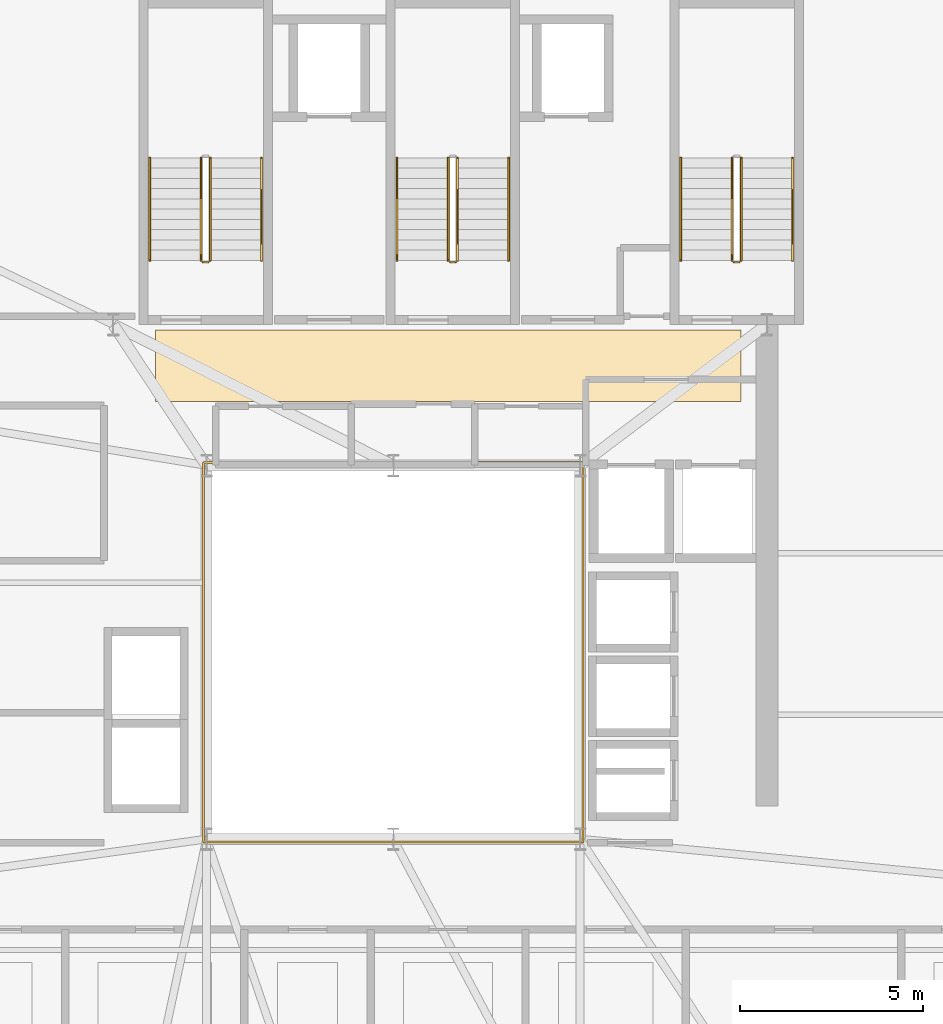
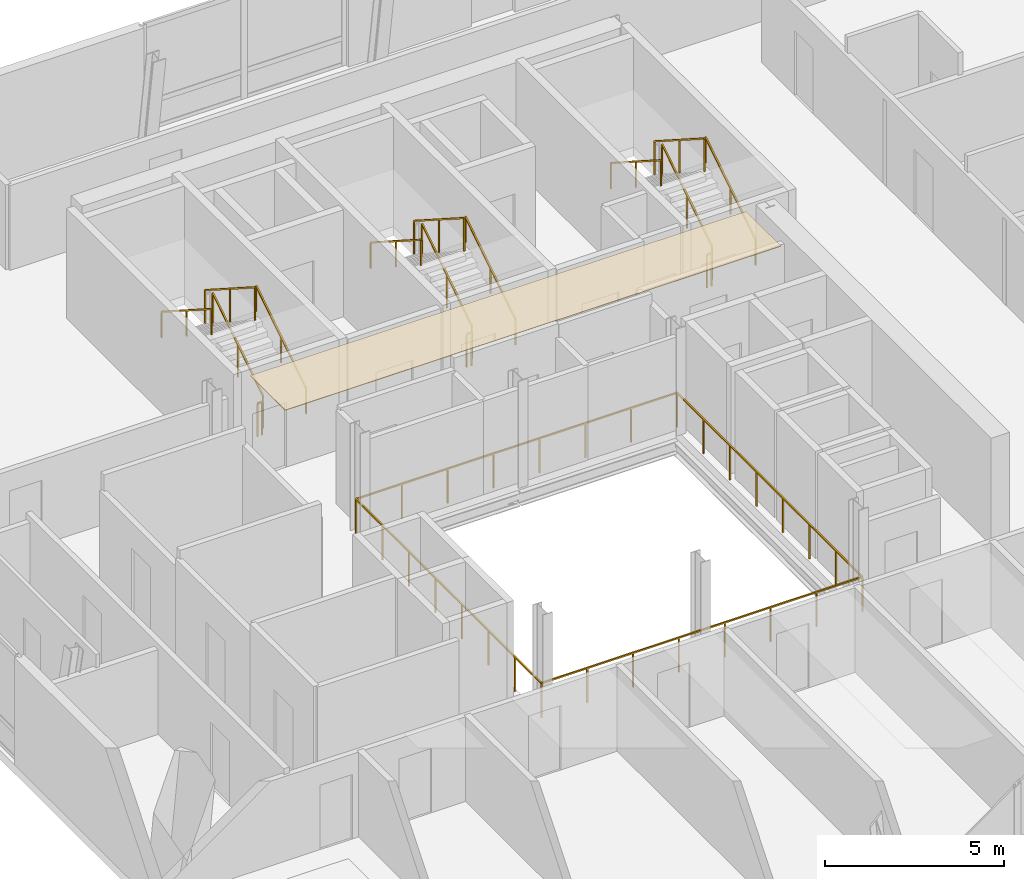
# One storey, part 12 of 14: 16 railings, 1 covering.
"""IFC4 building model written with IfcOpenShell, lengths in metres."""

from ifc_helpers import new_model, si_unit, direction, frame, origin, origin_2d, place, context, subcontext, project, spatial, polyline, rectangle, outline, extrude, source, transform, mapped, material, layer, layer_set, type_object, element, save


model = new_model("IFC4")

# Units and contexts
model_context = context("Model", 3, precision=1e-05, world=origin(), true_north=direction((0.0, 1.0)))
body_context = subcontext(model_context, "Body", "Model", "MODEL_VIEW")
ifc_project = project(units=[si_unit("LENGTHUNIT", "METRE"), si_unit("AREAUNIT", "SQUARE_METRE"), si_unit("VOLUMEUNIT", "CUBIC_METRE"), si_unit("PLANEANGLEUNIT", "RADIAN"), si_unit("MASSUNIT", "GRAM", prefix="KILO")], contexts=[model_context])

# Site, building, storey
site_placement = place(None, origin())
site = spatial("IfcSite", under=ifc_project, at=site_placement, CompositionType="ELEMENT")
building_placement = place(site_placement, origin())
building = spatial("IfcBuilding", under=site, at=building_placement, Name="Vardaveli Station Tower", CompositionType="ELEMENT")
storey_placement = place(building_placement, frame((0.0, 0.0, 266.39990234375)))
storey = spatial("IfcBuildingStorey", under=building, at=storey_placement, Name="L68", CompositionType="ELEMENT", Elevation=266.39990234375)

# Covering
ifc_material_1 = material(Name="Perforated acoustic mineral ceiling")
ifc_layer = layer(ifc_material_1, 0.02001953125, Name="Perforated acoustic mineral ceiling")
ifc_layer_set = layer_set([ifc_layer], Name="Perforated acoustic mineral ceiling")
covering_type = type_object("IfcCoveringType", Name="COV-CEIL-AC20", PredefinedType="CEILING", material=ifc_layer_set)
covering_placement = place(storey_placement, frame((0.0, 0.0, 3.635009765625)))
element("IfcCovering", 1, at=covering_placement, inside=storey, type_object=covering_type, Name="CEIL-L68-8", PredefinedType="CEILING", context=body_context, shape_type="SweptSolid", body=[
    extrude(outline(polyline([(29.800048828125, 28.550048828125), (45.800048828125, 28.550048828125), (45.800048828125, 30.5), (29.800048828125, 30.5), (29.800048828125, 28.550048828125)])), origin(), (0.0, 0.0, 1.0), 0.02001953125),
])

# Railings
ifc_material_2 = material(Name="Brushed AISI 316 stainless steel", Category="steel")
railing_type_1 = type_object("IfcRailingType", Name="RL-GUARD-1150", PredefinedType="GUARDRAIL", material=ifc_material_2)
shared_shape_1 = source(origin(), body_context, "Body", "SweptSolid", [
    extrude(rectangle(XDim=0.048095703125, YDim=0.048095703125, at=origin_2d()), frame((0.0, 0.0, 1.1259765625), z_axis=(-1.0, 0.0, 0.0), x_axis=(0.0, -1.0, 0.0)), (0.0, 0.0, 1.0), 0.14990234375),
    extrude(rectangle(XDim=0.0419921875, YDim=0.0419921875, at=origin_2d()), origin(), (0.0, 0.0, 1.0), 1.101806640625),
    extrude(rectangle(XDim=0.0419921875, YDim=0.0419921875, at=origin_2d()), frame((-0.14990234375, 0.0, 0.0)), (0.0, 0.0, 1.0), 1.101806640625),
])
for number, where, name in (
    (2, (31.25, 32.35009765625, 0.0), "L68 ST-1 stair guard 4"),
    (3, (38.0, 32.35009765625, 0.0), "L68 ST-2 stair guard 4"),
    (4, (45.75, 32.35009765625, 0.0), "L68 ST-3 stair guard 4"),
):
    element("IfcRailing", number, at=place(storey_placement, frame(where)), inside=storey, type_object=railing_type_1, Name=name, PredefinedType="GUARDRAIL", context=body_context, shape_type="MappedRepresentation", body=[
        mapped(shared_shape_1, transform((0.0, 0.0, 0.0), scale=1.0)),
    ])
shared_shape_2 = source(origin(), body_context, "Body", "SweptSolid", [
    extrude(rectangle(XDim=0.048095703125, YDim=0.048095703125, at=origin_2d()), frame((0.0, 0.0, 1.1259765625), z_axis=(0.0, 0.841809871826, 0.539774156196), x_axis=(-1.0, 0.0, 0.0)), (0.0, 0.0, 1.0), 3.326171875),
    extrude(rectangle(XDim=0.0419921875, YDim=0.0419921875, at=origin_2d()), origin(), (0.0, 0.0, 1.0), 1.101806640625),
    extrude(rectangle(XDim=0.0419921875, YDim=0.0419921875, at=origin_2d()), frame((0.0, 1.39990234375, 0.897705078125)), (0.0, 0.0, 1.0), 1.101806640625),
    extrude(rectangle(XDim=0.0419921875, YDim=0.0419921875, at=origin_2d()), frame((0.0, 2.800048828125, 1.79541015625)), (0.0, 0.0, 1.0), 1.101806640625),
])
for number, where, name in (
    (5, (31.300048828125, 32.39990234375, 0.1796875), "L68 ST-1 stair guard 1"),
    (6, (38.050048828125, 32.39990234375, 0.1796875), "L68 ST-2 stair guard 1"),
    (7, (45.800048828125, 32.39990234375, 0.1796875), "L68 ST-3 stair guard 1"),
):
    element("IfcRailing", number, at=place(storey_placement, frame(where)), inside=storey, type_object=railing_type_1, Name=name, PredefinedType="GUARDRAIL", context=body_context, shape_type="MappedRepresentation", body=[
        mapped(shared_shape_2, transform((0.0, 0.0, 0.0), scale=1.0)),
    ])
railing_type_2 = type_object("IfcRailingType", Name="RL-HAND-900", PredefinedType="HANDRAIL", material=ifc_material_2)
shared_shape_3 = source(origin(), body_context, "Body", "SweptSolid", [
    extrude(rectangle(XDim=0.048095703125, YDim=0.048095703125, at=origin_2d()), frame((0.0, 0.0, 0.8759765625), z_axis=(0.0, 0.841809871826, 0.539774156196), x_axis=(-1.0, 0.0, 0.0)), (0.0, 0.0, 1.0), 3.326171875),
    extrude(rectangle(XDim=0.0419921875, YDim=0.0419921875, at=origin_2d()), origin(), (0.0, 0.0, 1.0), 0.851806640625),
    extrude(rectangle(XDim=0.0419921875, YDim=0.0419921875, at=origin_2d()), frame((0.0, 1.39990234375, 0.897705078125)), (0.0, 0.0, 1.0), 0.851806640625),
    extrude(rectangle(XDim=0.0419921875, YDim=0.0419921875, at=origin_2d()), frame((0.0, 2.800048828125, 1.79541015625)), (0.0, 0.0, 1.0), 0.851806640625),
])
for number, where, name in (
    (8, (32.699951171875, 32.39990234375, 0.1796875), "L68 ST-1 stair handrail 1"),
    (9, (39.449951171875, 32.39990234375, 0.1796875), "L68 ST-2 stair handrail 1"),
    (10, (47.199951171875, 32.39990234375, 0.1796875), "L68 ST-3 stair handrail 1"),
):
    element("IfcRailing", number, at=place(storey_placement, frame(where)), inside=storey, type_object=railing_type_2, Name=name, PredefinedType="HANDRAIL", context=body_context, shape_type="MappedRepresentation", body=[
        mapped(shared_shape_3, transform((0.0, 0.0, 0.0), scale=1.0)),
    ])
shared_shape_4 = source(origin(), body_context, "Body", "SweptSolid", [
    extrude(rectangle(XDim=0.048095703125, YDim=0.048095703125, at=origin_2d()), frame((0.0, 0.0, 1.1259765625), z_axis=(0.0, -0.841776520102, 0.539826166654), x_axis=(1.0, 0.0, 0.0)), (0.0, 0.0, 1.0), 3.326416015625),
    extrude(rectangle(XDim=0.0419921875, YDim=0.0419921875, at=origin_2d()), origin(), (0.0, 0.0, 1.0), 1.101806640625),
    extrude(rectangle(XDim=0.0419921875, YDim=0.0419921875, at=origin_2d()), frame((0.0, -1.39990234375, 0.89794921875)), (0.0, 0.0, 1.0), 1.101806640625),
    extrude(rectangle(XDim=0.0419921875, YDim=0.0419921875, at=origin_2d()), frame((0.0, -2.800048828125, 1.795654296875)), (0.0, 0.0, 1.0), 1.101806640625),
])
for number, where, name in (
    (11, (31.050048828125, 35.199951171875, 2.154541015625), "L68 ST-1 stair guard 3"),
    (12, (37.800048828125, 35.199951171875, 2.154541015625), "L68 ST-2 stair guard 3"),
    (13, (45.550048828125, 35.199951171875, 2.154541015625), "L68 ST-3 stair guard 3"),
):
    element("IfcRailing", number, at=place(storey_placement, frame(where)), inside=storey, type_object=railing_type_1, Name=name, PredefinedType="GUARDRAIL", context=body_context, shape_type="MappedRepresentation", body=[
        mapped(shared_shape_4, transform((0.0, 0.0, 0.0), scale=1.0)),
    ])
shared_shape_5 = source(origin(), body_context, "Body", "SweptSolid", [
    extrude(rectangle(XDim=0.048095703125, YDim=0.048095703125, at=origin_2d()), frame((0.0, 0.0, 0.8759765625), z_axis=(0.0, -0.841776520102, 0.539826166654), x_axis=(1.0, 0.0, 0.0)), (0.0, 0.0, 1.0), 3.326416015625),
    extrude(rectangle(XDim=0.0419921875, YDim=0.0419921875, at=origin_2d()), origin(), (0.0, 0.0, 1.0), 0.851806640625),
    extrude(rectangle(XDim=0.0419921875, YDim=0.0419921875, at=origin_2d()), frame((0.0, -1.39990234375, 0.89794921875)), (0.0, 0.0, 1.0), 0.851806640625),
    extrude(rectangle(XDim=0.0419921875, YDim=0.0419921875, at=origin_2d()), frame((0.0, -2.800048828125, 1.795654296875)), (0.0, 0.0, 1.0), 0.851806640625),
])
for number, where, name in (
    (14, (29.64990234375, 35.199951171875, 2.154541015625), "L68 ST-1 stair handrail 2"),
    (15, (36.39990234375, 35.199951171875, 2.154541015625), "L68 ST-2 stair handrail 2"),
    (16, (44.14990234375, 35.199951171875, 2.154541015625), "L68 ST-3 stair handrail 2"),
):
    element("IfcRailing", number, at=place(storey_placement, frame(where)), inside=storey, type_object=railing_type_2, Name=name, PredefinedType="HANDRAIL", context=body_context, shape_type="MappedRepresentation", body=[
        mapped(shared_shape_5, transform((0.0, 0.0, 0.0), scale=1.0)),
    ])
ifc_material_3 = material(Name="Laminated glass and stainless steel balustrade", Category="steel")
railing_type_3 = type_object("IfcRailingType", Name="RL-BAL-1200", PredefinedType="BALUSTRADE", material=ifc_material_3)
shared_shape_6 = source(origin(), body_context, "Body", "SweptSolid", [
    extrude(rectangle(XDim=0.048095703125, YDim=0.048095703125, at=origin_2d()), frame((0.0, 0.0, 1.17578125), z_axis=(1.0, 0.0, 0.0), x_axis=(0.0, 1.0, 0.0)), (0.0, 0.0, 1.0), 10.35986328125),
    extrude(rectangle(XDim=0.048095703125, YDim=0.048095703125, at=origin_2d()), frame((10.35986328125, 0.0, 1.17578125), z_axis=(0.0, 1.0, 0.0), x_axis=(-1.0, 0.0, 0.0)), (0.0, 0.0, 1.0), 10.35986328125),
    extrude(rectangle(XDim=0.048095703125, YDim=0.048095703125, at=origin_2d()), frame((10.35986328125, 10.35986328125, 1.17578125), z_axis=(-1.0, 0.0, 0.0), x_axis=(0.0, -1.0, 0.0)), (0.0, 0.0, 1.0), 10.35986328125),
    extrude(rectangle(XDim=0.048095703125, YDim=0.048095703125, at=origin_2d()), frame((0.0, 10.35986328125, 1.17578125), z_axis=(0.0, -1.0, 0.0), x_axis=(1.0, 0.0, 0.0)), (0.0, 0.0, 1.0), 10.35986328125),
    extrude(rectangle(XDim=0.0419921875, YDim=0.0419921875, at=origin_2d()), origin(), (0.0, 0.0, 1.0), 1.15185546875),
    extrude(rectangle(XDim=0.0419921875, YDim=0.0419921875, at=origin_2d()), frame((1.47998046875, 0.0, 0.0)), (0.0, 0.0, 1.0), 1.15185546875),
    extrude(rectangle(XDim=0.0419921875, YDim=0.0419921875, at=origin_2d()), frame((2.9599609375, 0.0, 0.0)), (0.0, 0.0, 1.0), 1.15185546875),
    extrude(rectangle(XDim=0.0419921875, YDim=0.0419921875, at=origin_2d()), frame((4.43994140625, 0.0, 0.0)), (0.0, 0.0, 1.0), 1.15185546875),
    extrude(rectangle(XDim=0.0419921875, YDim=0.0419921875, at=origin_2d()), frame((5.919921875, 0.0, 0.0)), (0.0, 0.0, 1.0), 1.15185546875),
    extrude(rectangle(XDim=0.0419921875, YDim=0.0419921875, at=origin_2d()), frame((7.39990234375, 0.0, 0.0)), (0.0, 0.0, 1.0), 1.15185546875),
    extrude(rectangle(XDim=0.0419921875, YDim=0.0419921875, at=origin_2d()), frame((8.8798828125, 0.0, 0.0)), (0.0, 0.0, 1.0), 1.15185546875),
    extrude(rectangle(XDim=0.0419921875, YDim=0.0419921875, at=origin_2d()), frame((10.35986328125, 0.0, 0.0)), (0.0, 0.0, 1.0), 1.15185546875),
    extrude(rectangle(XDim=0.0419921875, YDim=0.0419921875, at=origin_2d()), frame((10.35986328125, 1.47998046875, 0.0)), (0.0, 0.0, 1.0), 1.15185546875),
    extrude(rectangle(XDim=0.0419921875, YDim=0.0419921875, at=origin_2d()), frame((10.35986328125, 2.9599609375, 0.0)), (0.0, 0.0, 1.0), 1.15185546875),
    extrude(rectangle(XDim=0.0419921875, YDim=0.0419921875, at=origin_2d()), frame((10.35986328125, 4.43994140625, 0.0)), (0.0, 0.0, 1.0), 1.15185546875),
    extrude(rectangle(XDim=0.0419921875, YDim=0.0419921875, at=origin_2d()), frame((10.35986328125, 5.919921875, 0.0)), (0.0, 0.0, 1.0), 1.15185546875),
    extrude(rectangle(XDim=0.0419921875, YDim=0.0419921875, at=origin_2d()), frame((10.35986328125, 7.39990234375, 0.0)), (0.0, 0.0, 1.0), 1.15185546875),
    extrude(rectangle(XDim=0.0419921875, YDim=0.0419921875, at=origin_2d()), frame((10.35986328125, 8.8798828125, 0.0)), (0.0, 0.0, 1.0), 1.15185546875),
    extrude(rectangle(XDim=0.0419921875, YDim=0.0419921875, at=origin_2d()), frame((10.35986328125, 10.35986328125, 0.0)), (0.0, 0.0, 1.0), 1.15185546875),
    extrude(rectangle(XDim=0.0419921875, YDim=0.0419921875, at=origin_2d()), frame((8.8798828125, 10.35986328125, 0.0)), (0.0, 0.0, 1.0), 1.15185546875),
    extrude(rectangle(XDim=0.0419921875, YDim=0.0419921875, at=origin_2d()), frame((7.39990234375, 10.35986328125, 0.0)), (0.0, 0.0, 1.0), 1.15185546875),
    extrude(rectangle(XDim=0.0419921875, YDim=0.0419921875, at=origin_2d()), frame((5.919921875, 10.35986328125, 0.0)), (0.0, 0.0, 1.0), 1.15185546875),
    extrude(rectangle(XDim=0.0419921875, YDim=0.0419921875, at=origin_2d()), frame((4.43994140625, 10.35986328125, 0.0)), (0.0, 0.0, 1.0), 1.15185546875),
    extrude(rectangle(XDim=0.0419921875, YDim=0.0419921875, at=origin_2d()), frame((2.9599609375, 10.35986328125, 0.0)), (0.0, 0.0, 1.0), 1.15185546875),
    extrude(rectangle(XDim=0.0419921875, YDim=0.0419921875, at=origin_2d()), frame((1.47998046875, 10.35986328125, 0.0)), (0.0, 0.0, 1.0), 1.15185546875),
    extrude(rectangle(XDim=0.0419921875, YDim=0.0419921875, at=origin_2d()), frame((0.0, 10.35986328125, 0.0)), (0.0, 0.0, 1.0), 1.15185546875),
    extrude(rectangle(XDim=0.0419921875, YDim=0.0419921875, at=origin_2d()), frame((0.0, 8.8798828125, 0.0)), (0.0, 0.0, 1.0), 1.15185546875),
    extrude(rectangle(XDim=0.0419921875, YDim=0.0419921875, at=origin_2d()), frame((0.0, 7.39990234375, 0.0)), (0.0, 0.0, 1.0), 1.15185546875),
    extrude(rectangle(XDim=0.0419921875, YDim=0.0419921875, at=origin_2d()), frame((0.0, 5.919921875, 0.0)), (0.0, 0.0, 1.0), 1.15185546875),
    extrude(rectangle(XDim=0.0419921875, YDim=0.0419921875, at=origin_2d()), frame((0.0, 4.43994140625, 0.0)), (0.0, 0.0, 1.0), 1.15185546875),
    extrude(rectangle(XDim=0.0419921875, YDim=0.0419921875, at=origin_2d()), frame((0.0, 2.9599609375, 0.0)), (0.0, 0.0, 1.0), 1.15185546875),
    extrude(rectangle(XDim=0.0419921875, YDim=0.0419921875, at=origin_2d()), frame((0.0, 1.47998046875, 0.0)), (0.0, 0.0, 1.0), 1.15185546875),
])
railing_placement = place(storey_placement, frame((31.1201171875, 16.52001953125, 0.0)))
element("IfcRailing", 17, at=railing_placement, inside=storey, type_object=railing_type_3, Name="RL-ATR-L68", PredefinedType="BALUSTRADE", context=body_context, shape_type="MappedRepresentation", body=[
    mapped(shared_shape_6, transform((0.0, 0.0, 0.0), scale=1.0)),
])

save(model, "model.ifc")
